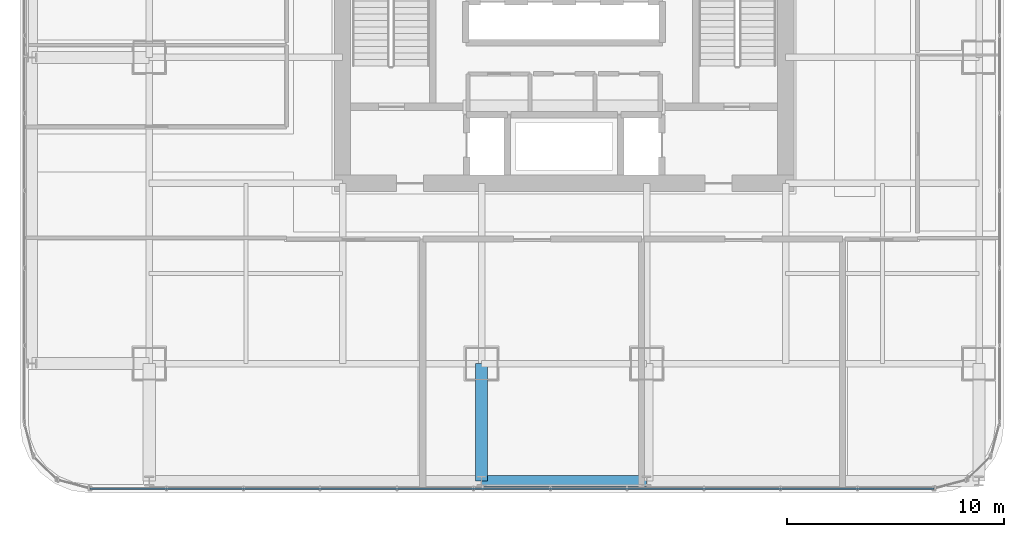
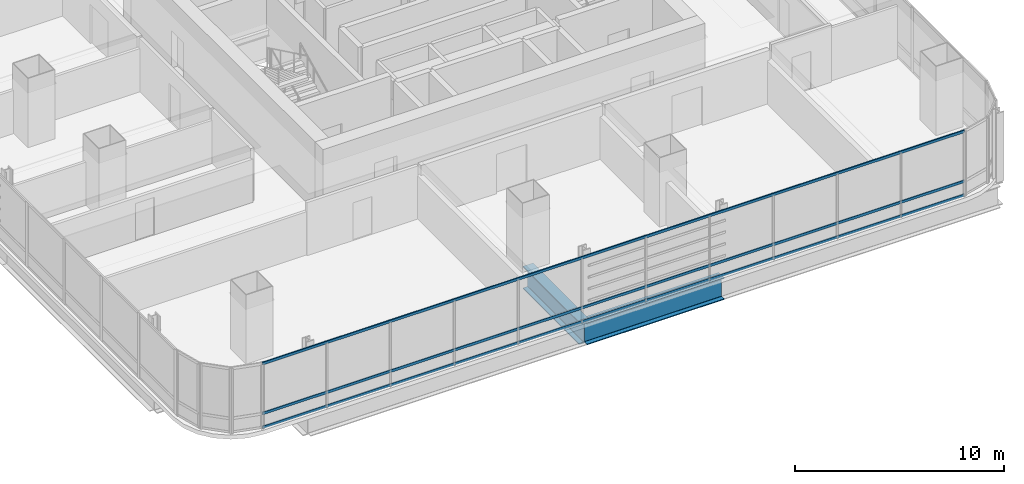
# One storey, part 7 of 36: 3 members, 2 beams, 1 element without a shape of its own.
"""IFC4 building model written with IfcOpenShell, lengths in metres."""

from ifc_helpers import new_model, si_unit, direction, frame, origin, origin_2d, place, context, subcontext, project, spatial, hollow_rectangle, i_section, extrude, material, material_profile, profile_set, type_object, element, aggregate, save


model = new_model("IFC4")

# Units and contexts
model_context = context("Model", 3, precision=1e-05, world=origin(), true_north=direction((0.0, 1.0)))
body_context = subcontext(model_context, "Body", "Model", "MODEL_VIEW")
ifc_project = project(units=[si_unit("LENGTHUNIT", "METRE"), si_unit("AREAUNIT", "SQUARE_METRE"), si_unit("VOLUMEUNIT", "CUBIC_METRE"), si_unit("PLANEANGLEUNIT", "RADIAN"), si_unit("MASSUNIT", "GRAM", prefix="KILO")], contexts=[model_context])

# Site, building, storey
site_placement = place(None, origin())
site = spatial("IfcSite", under=ifc_project, at=site_placement, CompositionType="ELEMENT")
building_placement = place(site_placement, origin())
building = spatial("IfcBuilding", under=site, at=building_placement, Name="Punatoya Terracotta Tower", CompositionType="ELEMENT")
storey_placement = place(building_placement, frame((0.0, 0.0, 48.449951171875)))
storey = spatial("IfcBuildingStorey", under=building, at=storey_placement, Name="L10", CompositionType="ELEMENT", Elevation=48.449951171875)

# Beams
ifc_material_1 = material(Name="Steel S460", Category="steel")
ifc_material_profile_1 = material_profile(ifc_material_1, i_section(OverallWidth=0.56005859375, OverallDepth=1.320068359375, WebThickness=0.035888671875, FlangeThickness=0.054931640625, FilletRadius=0.01806640625, at=origin_2d()))
ifc_profile_set_1 = profile_set([ifc_material_profile_1], Name="Steel S460")
beam_type_1 = type_object("IfcBeamType", Name="BM-TG-BLK", PredefinedType="BEAM", material=ifc_profile_set_1)
beam_1_placement = place(storey_placement, frame((-3.800048828125, -22.89990234375, -0.89990234375), z_axis=(0.0, 1.0, 0.0), x_axis=(-1.0, 0.0, 0.0)))
element("IfcBeam", 1, at=beam_1_placement, inside=storey, type_object=beam_type_1, Name="BM-L10-CANT-S2", PredefinedType="BEAM", context=body_context, shape_type="SweptSolid", body=[
    extrude(i_section(OverallWidth=0.56005859375, OverallDepth=1.320068359375, WebThickness=0.035888671875, FlangeThickness=0.054931640625, FilletRadius=0.01806640625, at=origin_2d()), origin(), (0.0, 0.0, 1.0), 5.39990234375),
])
ifc_material_profile_2 = material_profile(ifc_material_1, i_section(OverallWidth=0.52001953125, OverallDepth=1.280029296875, WebThickness=0.031982421875, FlangeThickness=0.050048828125, FilletRadius=0.01806640625, at=origin_2d()))
ifc_profile_set_2 = profile_set([ifc_material_profile_2], Name="Steel S460")
beam_type_2 = type_object("IfcBeamType", Name="BM-TG-NCK", PredefinedType="BEAM", material=ifc_profile_set_2)
beam_2_placement = place(storey_placement, frame((-3.800048828125, -22.89990234375, -0.8798828125), z_axis=(1.0, 0.0, 0.0), x_axis=(0.0, 1.0, 0.0)))
element("IfcBeam", 2, at=beam_2_placement, inside=storey, type_object=beam_type_2, Name="BM-L10-PER-S2", PredefinedType="BEAM", context=body_context, shape_type="SweptSolid", body=[
    extrude(i_section(OverallWidth=0.52001953125, OverallDepth=1.280029296875, WebThickness=0.031982421875, FlangeThickness=0.050048828125, FilletRadius=0.01806640625, at=origin_2d()), origin(), (0.0, 0.0, 1.0), 7.60009765625),
])

# Curtain wall, members
ifc_material_2 = material(Name="Aluminium 6063-T6 + Double Low-E Glass", Category="aluminium")
curtain_wall_type = type_object("IfcCurtainWallType", Name="CW-M1", PredefinedType="NOTDEFINED", material=ifc_material_2)
curtain_wall_placement = place(storey_placement, origin())
curtain_wall = element("IfcCurtainWall", 3, at=curtain_wall_placement, inside=storey, type_object=curtain_wall_type, Name="L10 Curtain Wall CW-L10-S01-1", PredefinedType="NOTDEFINED")
ifc_material_3 = material(Name="Aluminium 6063-T6", Category="aluminium")
ifc_material_profile_3 = material_profile(ifc_material_3, hollow_rectangle(XDim=0.068115234375, YDim=0.14990234375, WallThickness=0.00390625, at=origin_2d()))
ifc_profile_set_3 = profile_set([ifc_material_profile_3], Name="Aluminium 6063-T6")
member_type = type_object("IfcMemberType", Name="CW-TRN-TYP", PredefinedType="USERDEFINED", material=ifc_profile_set_3)
member_1_placement = place(storey_placement, frame((-21.8369140625, -23.25, 0.0400390625), z_axis=(1.0, 0.0, 0.0), x_axis=(0.0, 1.0, 0.0)))
member_1 = element("IfcMember", 4, at=member_1_placement, type_object=member_type, Name="CW-L10-S01-1 Transom 1", ObjectType="TRANSOM", PredefinedType="USERDEFINED", context=body_context, shape_type="SweptSolid", body=[
    extrude(hollow_rectangle(XDim=0.068115234375, YDim=0.14990234375, WallThickness=0.00390625, at=origin_2d()), origin(), (0.0, 0.0, 1.0), 38.873779296875),
])
member_2_placement = place(storey_placement, frame((-21.8369140625, -23.25, 0.85009765625), z_axis=(1.0, 0.0, 0.0), x_axis=(0.0, 1.0, 0.0)))
member_2 = element("IfcMember", 5, at=member_2_placement, type_object=member_type, Name="CW-L10-S01-1 Transom 2", ObjectType="TRANSOM", PredefinedType="USERDEFINED", context=body_context, shape_type="SweptSolid", body=[
    extrude(hollow_rectangle(XDim=0.068115234375, YDim=0.14990234375, WallThickness=0.00390625, at=origin_2d()), origin(), (0.0, 0.0, 1.0), 38.873779296875),
])
member_3_placement = place(storey_placement, frame((-21.8369140625, -23.25, 3.77001953125), z_axis=(1.0, 0.0, 0.0), x_axis=(0.0, 1.0, 0.0)))
member_3 = element("IfcMember", 6, at=member_3_placement, type_object=member_type, Name="CW-L10-S01-1 Transom 3", ObjectType="TRANSOM", PredefinedType="USERDEFINED", context=body_context, shape_type="SweptSolid", body=[
    extrude(hollow_rectangle(XDim=0.068115234375, YDim=0.14990234375, WallThickness=0.00390625, at=origin_2d()), origin(), (0.0, 0.0, 1.0), 38.873779296875),
])
aggregate(curtain_wall, [member_1, member_2, member_3])

save(model, "model.ifc")
